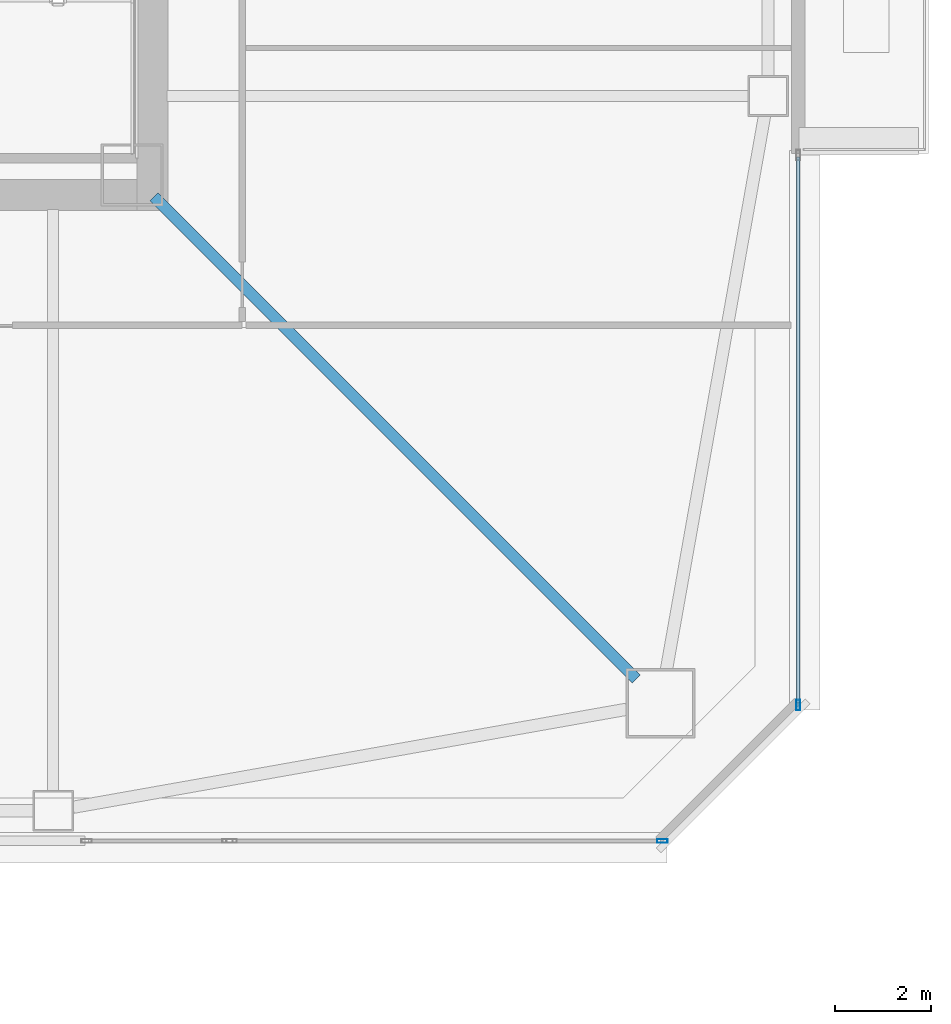
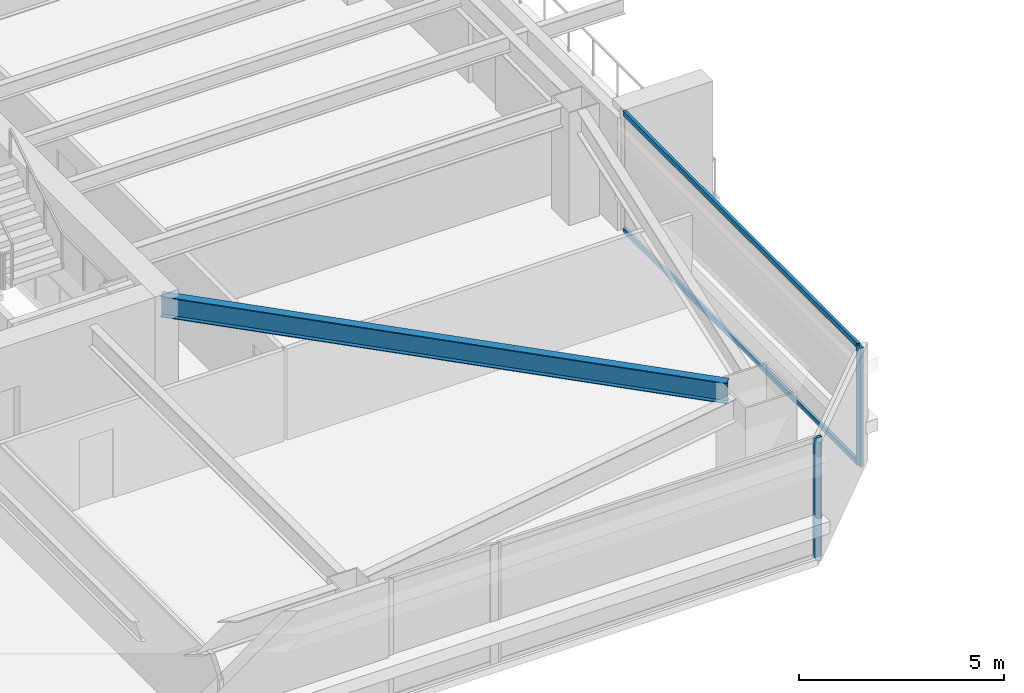
# One storey, part 8 of 44: 4 members, 1 beam, 2 elements without a shape of their own.
"""IFC4 building model written with IfcOpenShell, lengths in metres."""

from ifc_helpers import new_model, si_unit, direction, frame, origin, origin_2d, place, context, subcontext, project, spatial, hollow_rectangle, i_section, extrude, material, material_profile, profile_set, type_object, element, aggregate, save


model = new_model("IFC4")

# Units and contexts
model_context = context("Model", 3, precision=1e-05, world=origin(), true_north=direction((0.0, 1.0)))
body_context = subcontext(model_context, "Body", "Model", "MODEL_VIEW")
ifc_project = project(units=[si_unit("LENGTHUNIT", "METRE"), si_unit("AREAUNIT", "SQUARE_METRE"), si_unit("VOLUMEUNIT", "CUBIC_METRE"), si_unit("PLANEANGLEUNIT", "RADIAN"), si_unit("MASSUNIT", "GRAM", prefix="KILO")], contexts=[model_context])

# Site, building, storey
site_placement = place(None, origin())
site = spatial("IfcSite", under=ifc_project, at=site_placement, CompositionType="ELEMENT")
building_placement = place(site_placement, origin())
building = spatial("IfcBuilding", under=site, at=building_placement, Name="Tashvorn Skyway Center", CompositionType="ELEMENT")
storey_placement = place(building_placement, frame((0.0, 0.0, 102.699951171875)))
storey = spatial("IfcBuildingStorey", under=building, at=storey_placement, Name="L27", CompositionType="ELEMENT", Elevation=102.699951171875)

# Beam
ifc_material_1 = material(Name="Steel ASTM A992 Grade 50", Category="steel")
ifc_material_profile_1 = material_profile(ifc_material_1, i_section(OverallWidth=0.22998046875, OverallDepth=0.616943359375, WebThickness=0.01318359375, FlangeThickness=0.022216796875, at=origin_2d()), Name="W24X94")
ifc_profile_set_1 = profile_set([ifc_material_profile_1], Name="Steel ASTM A992 Grade 50")
beam_type = type_object("IfcBeamType", Name="BM-BEAM-W24X94", PredefinedType="BEAM", material=ifc_profile_set_1)
beam_placement = place(storey_placement, frame((59.5908203125, 14.4091796875, 3.04150390625), z_axis=(-0.707106781187, 0.707106781187, 0.0), x_axis=(-0.707106781187, -0.707106781187, 0.0)))
element("IfcBeam", 1, at=beam_placement, inside=storey, type_object=beam_type, Name="Tower 1 L27 Primary Floor Girder MC-SE", PredefinedType="BEAM", context=body_context, shape_type="SweptSolid", body=[
    extrude(i_section(OverallWidth=0.22998046875, OverallDepth=0.616943359375, WebThickness=0.01318359375, FlangeThickness=0.022216796875, at=origin_2d()), origin(), (0.0, 0.0, 1.0), 14.261962890625),
])

# Curtain wall, member
ifc_material_2 = material(Name="Thermally broken bronze-anodized aluminium 6063-T6", Category="aluminium")
curtain_wall_type = type_object("IfcCurtainWallType", Name="CW-CW-Z2", PredefinedType="NOTDEFINED", material=ifc_material_2)
curtain_wall_1_placement = place(storey_placement, origin())
curtain_wall_1 = element("IfcCurtainWall", 2, at=curtain_wall_1_placement, inside=storey, type_object=curtain_wall_type, Name="Tower 1 L27 South Unitised Curtain Wall Glazing Group 1", PredefinedType="NOTDEFINED")
ifc_material_profile_2 = material_profile(ifc_material_2, hollow_rectangle(XDim=0.080078125, YDim=0.219970703125, WallThickness=0.0048828125, at=origin_2d()), Name="ALU-MULL-80x220")
ifc_profile_set_2 = profile_set([ifc_material_profile_2], Name="Thermally broken bronze-anodized aluminium 6063-T6")
member_type_1 = type_object("IfcMemberType", Name="CWM-CW-Z2", PredefinedType="MULLION", material=ifc_profile_set_2)
member_1_placement = place(storey_placement, frame((60.139892578125, 11.02001953125, 0.0), z_axis=(0.0, 0.0, 1.0), x_axis=(0.0, -1.0, 0.0)))
member_1 = element("IfcMember", 3, at=member_1_placement, type_object=member_type_1, Name="CW-Z2 mullion 1", PredefinedType="MULLION", context=body_context, shape_type="SweptSolid", body=[
    extrude(hollow_rectangle(XDim=0.080078125, YDim=0.219970703125, WallThickness=0.0048828125, at=origin_2d()), origin(), (0.0, 0.0, 1.0), 3.550048828125),
])
aggregate(curtain_wall_1, [member_1])

# Curtain wall, members
curtain_wall_2_placement = place(storey_placement, origin())
curtain_wall_2 = element("IfcCurtainWall", 4, at=curtain_wall_2_placement, inside=storey, type_object=curtain_wall_type, Name="Tower 1 L27 East Curtain Wall R", PredefinedType="NOTDEFINED")
member_2_placement = place(storey_placement, frame((62.97998046875, 13.860107421875, 0.0), z_axis=(0.0, 0.0, 1.0), x_axis=(1.0, 0.0, 0.0)))
member_2 = element("IfcMember", 5, at=member_2_placement, type_object=member_type_1, Name="CW-Z2 mullion 2", PredefinedType="MULLION", context=body_context, shape_type="SweptSolid", body=[
    extrude(hollow_rectangle(XDim=0.080078125, YDim=0.219970703125, WallThickness=0.0048828125, at=origin_2d()), origin(), (0.0, 0.0, 1.0), 3.550048828125),
])
ifc_material_profile_3 = material_profile(ifc_material_2, hollow_rectangle(XDim=0.080078125, YDim=0.14990234375, WallThickness=0.00439453125, at=origin_2d()), Name="ALU-TRAN-80x150")
ifc_profile_set_3 = profile_set([ifc_material_profile_3], Name="Thermally broken bronze-anodized aluminium 6063-T6")
member_type_2 = type_object("IfcMemberType", Name="CWT-CW-Z2", PredefinedType="USERDEFINED", material=ifc_profile_set_3)
member_3_placement = place(storey_placement, frame((62.97998046875, 25.320068359375, 0.0400390625), z_axis=(0.0, -1.0, 0.0), x_axis=(1.0, 0.0, 0.0)))
member_3 = element("IfcMember", 6, at=member_3_placement, type_object=member_type_2, Name="CW-Z2 transom 1.1", ObjectType="TRANSOM", PredefinedType="USERDEFINED", context=body_context, shape_type="SweptSolid", body=[
    extrude(hollow_rectangle(XDim=0.080078125, YDim=0.14990234375, WallThickness=0.00439453125, at=origin_2d()), origin(), (0.0, 0.0, 1.0), 11.420166015625),
])
member_4_placement = place(storey_placement, frame((62.97998046875, 25.320068359375, 3.510009765625), z_axis=(0.0, -1.0, 0.0), x_axis=(1.0, 0.0, 0.0)))
member_4 = element("IfcMember", 7, at=member_4_placement, type_object=member_type_2, Name="CW-Z2 transom 1.2", ObjectType="TRANSOM", PredefinedType="USERDEFINED", context=body_context, shape_type="SweptSolid", body=[
    extrude(hollow_rectangle(XDim=0.080078125, YDim=0.14990234375, WallThickness=0.00439453125, at=origin_2d()), origin(), (0.0, 0.0, 1.0), 11.420166015625),
])
aggregate(curtain_wall_2, [member_2, member_3, member_4])

save(model, "model.ifc")
